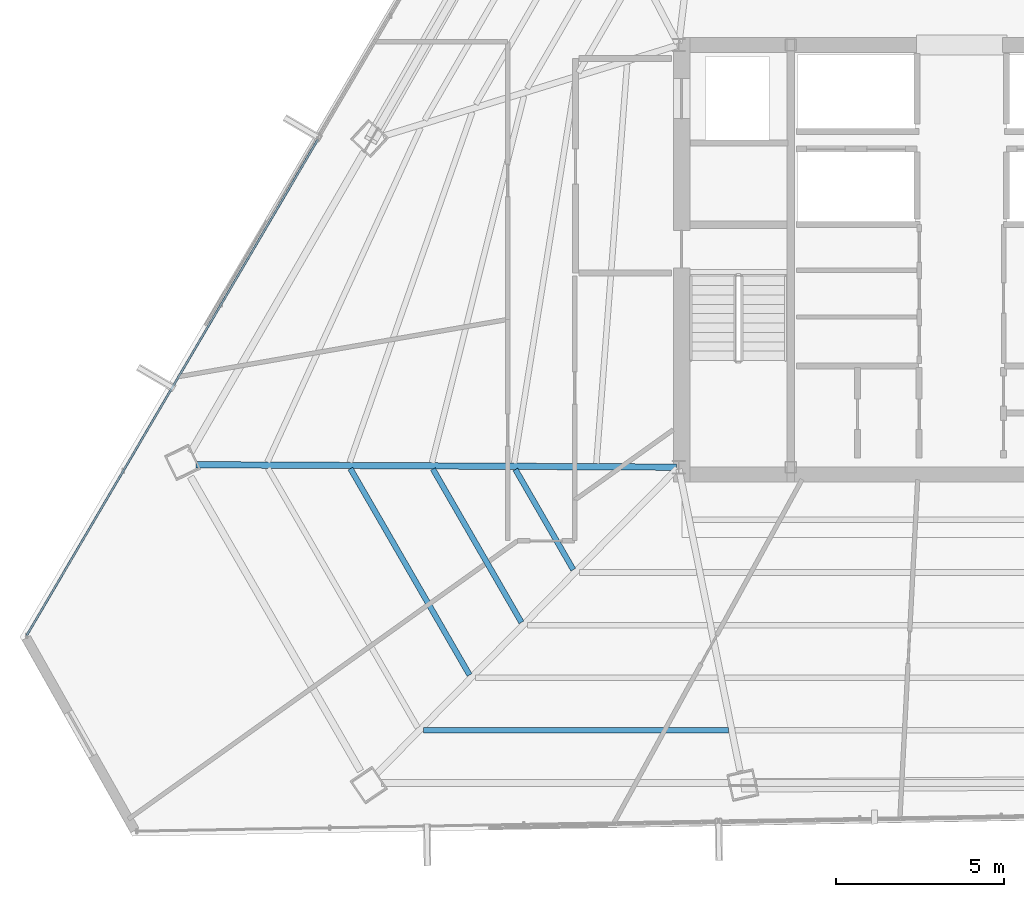
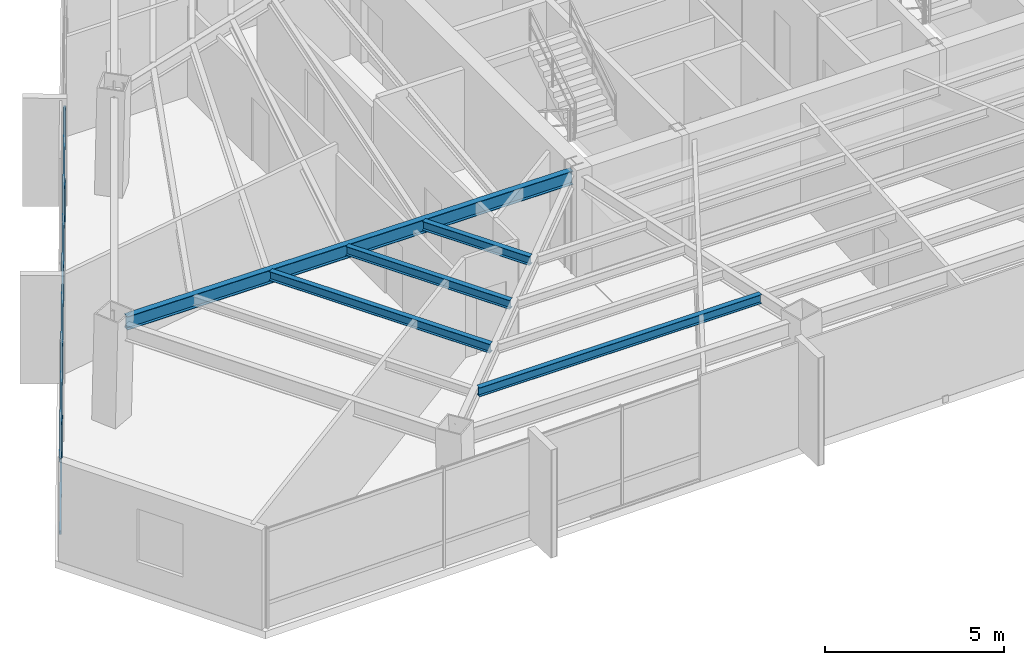
# One storey, part 9 of 42: 5 beams, 2 members, 1 element without a shape of its own.
"""IFC4 building model written with IfcOpenShell, lengths in metres."""

import ifcopenshell
import ifcopenshell.guid

model = None  # the IFC model being written
_history = None  # IfcOwnerHistory: only IFC2X3 demands one
_inside = {}  # id of a spatial element -> (the spatial element, [elements in it])
_under = {}  # id of a project, library or spatial element -> (it, [spatial elements below it])
_declared = {}  # id of a project -> (the project, [libraries it declares])
_typed = {}  # id of a type object -> (the type object, [elements of that type])
_made_of = {}  # id of a material, layer set ... -> (it, [elements and type objects made of it])


def new_model(schema):
    """Start an empty IFC model of exactly this schema.

    Asked for "IFC4X3", IfcOpenShell would pick the latest addendum, in which some entities
    have other attributes; the version numbers below select the first issue.
    IFC2X3 requires an IfcOwnerHistory on every rooted entity: one is made here for all.
    """
    global model, _history
    if schema == "IFC4X3":
        model = ifcopenshell.file(schema_version=(4, 3, 0, 0))
    else:
        model = ifcopenshell.file(schema=schema)
    _inside.clear()
    _under.clear()
    _declared.clear()
    _typed.clear()
    _made_of.clear()
    _history = None
    if model.schema == "IFC2X3":
        org = make("IfcOrganization", Name="unknown")
        user = make(
            "IfcPersonAndOrganization",
            ThePerson=make("IfcPerson", FamilyName="unknown"),
            TheOrganization=org,
        )
        app = make(
            "IfcApplication",
            ApplicationDeveloper=org,
            Version="unknown",
            ApplicationFullName="unknown",
            ApplicationIdentifier="unknown",
        )
        _history = make(
            "IfcOwnerHistory",
            OwningUser=user,
            OwningApplication=app,
            ChangeAction="ADDED",
            CreationDate=0,
        )
    return model


def make(cls, **values):
    """One entity of the class cls with the attributes given. An attribute that is None is left unset."""
    return model.create_entity(
        cls, **{name: value for name, value in values.items() if value is not None}
    )


def rooted(cls, **values):
    """An entity with a GlobalId (a new one), such as an element, a storey or a relation."""
    return make(cls, GlobalId=ifcopenshell.guid.new(), OwnerHistory=_history, **values)


def si_unit(unit_type, name, prefix=None):
    """IfcSIUnit, for example si_unit("LENGTHUNIT", "METRE", prefix="MILLI")."""
    return make("IfcSIUnit", UnitType=unit_type, Prefix=prefix, Name=name)


def assignment(units):
    """IfcUnitAssignment: the units of a project."""
    return None if units is None else make("IfcUnitAssignment", Units=units)


def point(xyz):
    """IfcCartesianPoint."""
    return None if xyz is None else make("IfcCartesianPoint", Coordinates=xyz)


def direction(xyz):
    """IfcDirection."""
    return None if xyz is None else make("IfcDirection", DirectionRatios=xyz)


def frame(location, z_axis=None, x_axis=None):
    """IfcAxis2Placement3D, a coordinate frame: its origin and axes. An axis left out is left unset."""
    return make(
        "IfcAxis2Placement3D",
        Location=point(location),
        Axis=direction(z_axis),
        RefDirection=direction(x_axis),
    )


def frame_2d(location, x_axis=None):
    """IfcAxis2Placement2D, a coordinate frame in the plane: its origin and x axis."""
    return make(
        "IfcAxis2Placement2D", Location=point(location), RefDirection=direction(x_axis)
    )


def origin():
    """The frame at (0, 0, 0) with its axes left unset."""
    return frame((0.0, 0.0, 0.0))


def origin_2d():
    """The frame at (0, 0) in the plane with its x axis left unset."""
    return frame_2d((0.0, 0.0))


def place(relative_to, where):
    """IfcLocalPlacement: puts the frame where relative to a parent placement (None: the world)."""
    return make(
        "IfcLocalPlacement", PlacementRelTo=relative_to, RelativePlacement=where
    )


def context(
    kind, dimensions, precision=None, world=None, true_north=None, identifier=None
):
    """IfcGeometricRepresentationContext, for example the 3D "Model" context."""
    return make(
        "IfcGeometricRepresentationContext",
        ContextIdentifier=identifier,
        ContextType=kind,
        CoordinateSpaceDimension=dimensions,
        Precision=precision,
        WorldCoordinateSystem=world,
        TrueNorth=true_north,
    )


def subcontext(parent, identifier, kind, view, scale=None):
    """IfcGeometricRepresentationSubContext, for example "Body" below "Model"."""
    return make(
        "IfcGeometricRepresentationSubContext",
        ContextIdentifier=identifier,
        ContextType=kind,
        ParentContext=parent,
        TargetScale=scale,
        TargetView=view,
    )


def project(units=None, contexts=None):
    """IfcProject with its units and contexts."""
    return rooted(
        "IfcProject",
        Name="project",
        RepresentationContexts=contexts,
        UnitsInContext=assignment(units),
    )


def spatial(cls, under=None, at=None, **own):
    """A site, building, storey or space (cls), placed at a placement, below another one or the project."""
    s = rooted(cls, ObjectPlacement=at, **own)
    if under is not None:
        _under.setdefault(under.id(), (under, []))[1].append(s)
    return s


def profile(cls, at=None, kind="AREA", **sizes):
    """A parametric profile (cls). Its sizes go by their IFC names, for example OverallWidth=200.0."""
    return make(cls, ProfileType=kind, Position=at, **sizes)


def hollow_rectangle(**sizes):
    """IfcRectangleHollowProfileDef."""
    return profile("IfcRectangleHollowProfileDef", **sizes)


def i_section(**sizes):
    """IfcIShapeProfileDef."""
    return profile("IfcIShapeProfileDef", **sizes)


def extrude(swept, where, along, depth):
    """IfcExtrudedAreaSolid: the profile swept, set in the frame where, extruded along a direction by depth."""
    return make(
        "IfcExtrudedAreaSolid",
        SweptArea=swept,
        Position=where,
        ExtrudedDirection=direction(along),
        Depth=depth,
    )


def shape(context_of_items, identifier, shape_type, items):
    """IfcShapeRepresentation: the items that make up one representation, for example the "Body"."""
    return make(
        "IfcShapeRepresentation",
        ContextOfItems=context_of_items,
        RepresentationIdentifier=identifier,
        RepresentationType=shape_type,
        Items=items,
    )


def source(mapping_origin, context_of_items, identifier, shape_type, items):
    """IfcRepresentationMap: a shape defined once, which mapped items show again and again."""
    return make(
        "IfcRepresentationMap",
        MappingOrigin=mapping_origin,
        MappedRepresentation=shape(context_of_items, identifier, shape_type, items),
    )


def transform(
    local_origin,
    x_axis=None,
    y_axis=None,
    z_axis=None,
    scale=None,
    scale2=None,
    scale3=None,
    uniform=True,
):
    """IfcCartesianTransformationOperator3D, or its non-uniform kind. x_axis, y_axis, z_axis: its Axis1, 2, 3."""
    if uniform:
        return make(
            "IfcCartesianTransformationOperator3D",
            Axis1=direction(x_axis),
            Axis2=direction(y_axis),
            LocalOrigin=point(local_origin),
            Scale=scale,
            Axis3=direction(z_axis),
        )
    return make(
        "IfcCartesianTransformationOperator3DnonUniform",
        Axis1=direction(x_axis),
        Axis2=direction(y_axis),
        LocalOrigin=point(local_origin),
        Scale=scale,
        Axis3=direction(z_axis),
        Scale2=scale2,
        Scale3=scale3,
    )


def mapped(mapping_source, mapping_target):
    """IfcMappedItem: shows the shape of a source again, moved by a transform."""
    return make(
        "IfcMappedItem", MappingSource=mapping_source, MappingTarget=mapping_target
    )


def material(Name=None, Category=None):
    """IfcMaterial."""
    return make("IfcMaterial", Name=Name, Category=Category)


def material_profile(
    of_material, cross_section, Name=None, Category=None, Priority=None
):
    """IfcMaterialProfile: a cross section and its material."""
    return make(
        "IfcMaterialProfile",
        Name=Name,
        Material=of_material,
        Profile=cross_section,
        Priority=Priority,
        Category=Category,
    )


def profile_set(profiles, Name=None, composite=None):
    """IfcMaterialProfileSet."""
    return make(
        "IfcMaterialProfileSet",
        Name=Name,
        MaterialProfiles=profiles,
        CompositeProfile=composite,
    )


def made_of(thing, what):
    """Note that an element or type object is made of a material, layer set ...; save() writes the relation."""
    if what is not None:
        _made_of.setdefault(what.id(), (what, []))[1].append(thing)
    return thing


def type_object(cls, material=None, **own):
    """A type object (cls), such as IfcWallType, which elements share."""
    return made_of(rooted(cls, **own), material)


def type_shapes(of_type, sources):
    """Give a type object the sources (RepresentationMaps) that its elements show as mapped items."""
    of_type.RepresentationMaps = sources


def element(
    cls,
    number,
    at=None,
    inside=None,
    cuts=None,
    type_object=None,
    material=None,
    context=None,
    identifier="Body",
    shape_type=None,
    held_by="IfcProductDefinitionShape",
    body=None,
    shapes=None,
    **own,
):
    """One element of the class cls, such as IfcWall. Its Tag is "e" and its number.

    at: its placement. inside: the storey or other place that contains it. cuts: it is an
    opening in that element (IfcRelVoidsElement). A single representation is given by context,
    identifier, shape_type and body (its items); several are given by shapes. held_by: the class
    of the entity that holds the representations. save() writes the other relations.
    """
    e = rooted(cls, Tag="e%d" % number, ObjectPlacement=at, **own)
    if body is not None:
        shapes = [shape(context, identifier, shape_type, body)]
    if shapes is not None:
        e.Representation = make(held_by, Representations=shapes)
    if inside is not None:
        _inside.setdefault(inside.id(), (inside, []))[1].append(e)
    if cuts is not None:
        rooted(
            "IfcRelVoidsElement", RelatingBuildingElement=cuts, RelatedOpeningElement=e
        )
    if type_object is not None:
        _typed.setdefault(type_object.id(), (type_object, []))[1].append(e)
    return made_of(e, material)


def aggregate(whole, parts):
    """IfcRelAggregates: a whole, such as a stair, and the parts it consists of."""
    return rooted("IfcRelAggregates", RelatingObject=whole, RelatedObjects=parts)


def save(model, path):
    """Write the relations noted so far, then the file.

    IfcRelAggregates (storeys below a building ...), IfcRelContainedInSpatialStructure (elements
    in a storey), IfcRelDefinesByType, IfcRelAssociatesMaterial and IfcRelDeclares: one each for
    every whole, place, type object, material and project.
    """
    for whole, parts in _under.values():
        aggregate(whole, parts)
    for where, things in _inside.values():
        rooted(
            "IfcRelContainedInSpatialStructure",
            RelatedElements=things,
            RelatingStructure=where,
        )
    for kind, things in _typed.values():
        rooted("IfcRelDefinesByType", RelatedObjects=things, RelatingType=kind)
    for what, things in _made_of.values():
        rooted("IfcRelAssociatesMaterial", RelatedObjects=things, RelatingMaterial=what)
    for by, libraries in _declared.values():
        rooted("IfcRelDeclares", RelatingContext=by, RelatedDefinitions=libraries)
    model.write(path)


model = new_model("IFC4")

# Units and contexts
model_context = context("Model", 3, precision=1e-05, world=origin(), true_north=direction((0.0, 1.0)))
body_context = subcontext(model_context, "Body", "Model", "MODEL_VIEW")
ifc_project = project(units=[si_unit("LENGTHUNIT", "METRE"), si_unit("AREAUNIT", "SQUARE_METRE"), si_unit("VOLUMEUNIT", "CUBIC_METRE"), si_unit("PLANEANGLEUNIT", "RADIAN"), si_unit("MASSUNIT", "GRAM", prefix="KILO")], contexts=[model_context])

# Site, building, storey
site_placement = place(None, origin())
site = spatial("IfcSite", under=ifc_project, at=site_placement, CompositionType="ELEMENT")
building_placement = place(site_placement, origin())
building = spatial("IfcBuilding", under=site, at=building_placement, Name="Caelisora Broadcast Tower", CompositionType="ELEMENT")
storey_placement = place(building_placement, frame((0.0, 0.0, 184.050048828125)))
storey = spatial("IfcBuildingStorey", under=building, at=storey_placement, Name="L48", CompositionType="ELEMENT", Elevation=184.050048828125)

# Beams
ifc_material_1 = material(Name="Steel Grade 350 (AS/NZS 3679.1)", Category="steel")
ifc_material_profile_1 = material_profile(ifc_material_1, i_section(OverallWidth=0.19091796875, OverallDepth=0.46044921875, WebThickness=0.010009765625, FlangeThickness=0.01611328125, at=origin_2d()), Name="Steel Grade 350 (AS/NZS 3679.1)")
ifc_profile_set_1 = profile_set([ifc_material_profile_1], Name="Steel Grade 350 (AS/NZS 3679.1)")
beam_type_1 = type_object("IfcBeamType", Name="PG06", PredefinedType="BEAM", material=ifc_profile_set_1)
shared_shape_1 = source(origin(), body_context, "Body", "SweptSolid", [
    extrude(i_section(OverallWidth=0.19091796875, OverallDepth=0.46044921875, WebThickness=0.010009765625, FlangeThickness=0.01611328125, at=origin_2d()), origin(), (0.0, 0.0, 1.0), 14.33984375),
])
type_shapes(beam_type_1, [shared_shape_1])
beam_1_placement = place(storey_placement, frame((30.43994140625, 17.400390625, 3.169677734375), z_axis=(-0.999987129358, 0.005073570521, 0.0), x_axis=(-0.005073570521, -0.999987129358, 0.0)))
element("IfcBeam", 1, at=beam_1_placement, inside=storey, type_object=beam_type_1, Name="L48 beam PG06", PredefinedType="BEAM", context=body_context, shape_type="MappedRepresentation", body=[
    mapped(shared_shape_1, transform((0.0, 0.0, 0.0), scale=1.0)),
])
ifc_material_profile_2 = material_profile(ifc_material_1, i_section(OverallWidth=0.166015625, OverallDepth=0.30712890625, WebThickness=0.006591796875, FlangeThickness=0.01171875, at=origin_2d()), Name="Steel Grade 350 (AS/NZS 3679.1)")
ifc_profile_set_2 = profile_set([ifc_material_profile_2], Name="Steel Grade 350 (AS/NZS 3679.1)")
beam_type_2 = type_object("IfcBeamType", Name="SB03", PredefinedType="JOIST", material=ifc_profile_set_2)
shared_shape_2 = source(origin(), body_context, "Body", "SweptSolid", [
    extrude(i_section(OverallWidth=0.166015625, OverallDepth=0.30712890625, WebThickness=0.006591796875, FlangeThickness=0.01171875, at=origin_2d()), origin(), (0.0, 0.0, 1.0), 3.4541015625),
])
beam_2_placement = place(storey_placement, frame((25.628662109375, 17.331787109375, 3.246337890625), z_axis=(0.499985536376, -0.866033754201, 0.0), x_axis=(0.866033754201, 0.499985536376, 0.0)))
element("IfcBeam", 2, at=beam_2_placement, inside=storey, type_object=beam_type_2, Name="L48 beam SB03", PredefinedType="JOIST", context=body_context, shape_type="MappedRepresentation", body=[
    mapped(shared_shape_2, transform((0.0, 0.0, 0.0), scale=1.0)),
])
shared_shape_3 = source(origin(), body_context, "Body", "SweptSolid", [
    extrude(i_section(OverallWidth=0.166015625, OverallDepth=0.30712890625, WebThickness=0.006591796875, FlangeThickness=0.01171875, at=origin_2d()), origin(), (0.0, 0.0, 1.0), 5.283447265625),
])
beam_3_placement = place(storey_placement, frame((23.166015625, 17.344482421875, 3.246337890625), z_axis=(0.49997578384, -0.86603938454, 0.0), x_axis=(0.86603938454, 0.49997578384, 0.0)))
element("IfcBeam", 3, at=beam_3_placement, inside=storey, type_object=beam_type_2, Name="L48 beam SB03", PredefinedType="JOIST", context=body_context, shape_type="MappedRepresentation", body=[
    mapped(shared_shape_3, transform((0.0, 0.0, 0.0), scale=1.0)),
])
shared_shape_4 = source(origin(), body_context, "Body", "SweptSolid", [
    extrude(i_section(OverallWidth=0.166015625, OverallDepth=0.30712890625, WebThickness=0.006591796875, FlangeThickness=0.01171875, at=origin_2d()), origin(), (0.0, 0.0, 1.0), 7.1123046875),
])
beam_4_placement = place(storey_placement, frame((20.703369140625, 17.35693359375, 3.246337890625), z_axis=(0.500000773857, -0.866024956998, 0.0), x_axis=(0.866024956998, 0.500000773857, 0.0)))
element("IfcBeam", 4, at=beam_4_placement, inside=storey, type_object=beam_type_2, Name="L48 beam SB03", PredefinedType="JOIST", context=body_context, shape_type="MappedRepresentation", body=[
    mapped(shared_shape_4, transform((0.0, 0.0, 0.0), scale=1.0)),
])
shared_shape_5 = source(origin(), body_context, "Body", "SweptSolid", [
    extrude(i_section(OverallWidth=0.166015625, OverallDepth=0.30712890625, WebThickness=0.006591796875, FlangeThickness=0.01171875, at=origin_2d()), origin(), (0.0, 0.0, 1.0), 9.1015625),
])
type_shapes(beam_type_2, [shared_shape_2, shared_shape_3, shared_shape_4, shared_shape_5])
beam_5_placement = place(storey_placement, frame((22.890625, 9.542724609375, 3.246337890625), z_axis=(1.0, 0.0, 0.0), x_axis=(0.0, 1.0, 0.0)))
element("IfcBeam", 5, at=beam_5_placement, inside=storey, type_object=beam_type_2, Name="L48 beam SB03", PredefinedType="JOIST", context=body_context, shape_type="MappedRepresentation", body=[
    mapped(shared_shape_5, transform((0.0, 0.0, 0.0), scale=1.0)),
])

# Curtain wall, members
ifc_material_2 = material(Name="Unitised Aluminium and Low-E Glass Curtain Wall", Category="glass")
curtain_wall_type = type_object("IfcCurtainWallType", Name="CW-Z4", PredefinedType="NOTDEFINED", material=ifc_material_2)
curtain_wall_placement = place(storey_placement, origin())
curtain_wall = element("IfcCurtainWall", 6, at=curtain_wall_placement, inside=storey, type_object=curtain_wall_type, Name="L48 curtain wall CW-Z4", PredefinedType="NOTDEFINED")
ifc_material_3 = material(Name="Aluminium 6063-T6 Anodised Terracotta Bronze", Category="aluminium")
ifc_material_profile_3 = material_profile(ifc_material_3, hollow_rectangle(XDim=0.06005859375, YDim=0.1201171875, WallThickness=0.0029296875, at=origin_2d()), Name="Aluminium 6063-T6 Anodised Terracotta Bronze")
ifc_profile_set_3 = profile_set([ifc_material_profile_3], Name="Aluminium 6063-T6 Anodised Terracotta Bronze")
member_type = type_object("IfcMemberType", Name="CWT-03", PredefinedType="USERDEFINED", material=ifc_profile_set_3)
shared_shape_6 = source(origin(), body_context, "Body", "SweptSolid", [
    extrude(hollow_rectangle(XDim=0.06005859375, YDim=0.1201171875, WallThickness=0.0029296875, at=origin_2d()), origin(), (0.0, 0.0, 1.0), 17.17333984375),
])
type_shapes(member_type, [shared_shape_6])
member_1_placement = place(storey_placement, frame((11.040283203125, 12.3740234375, 0.849853515625), z_axis=(0.506308597627, 0.862352366477, 0.0), x_axis=(-0.862352366477, 0.506308597627, 0.0)))
member_1 = element("IfcMember", 7, at=member_1_placement, type_object=member_type, Name="L48-CW-B09 transom #1", ObjectType="TRANSOM", PredefinedType="USERDEFINED", context=body_context, shape_type="MappedRepresentation", body=[
    mapped(shared_shape_6, transform((0.0, 0.0, 0.0), scale=1.0)),
])
member_2_placement = place(storey_placement, frame((11.040283203125, 12.3740234375, 3.320068359375), z_axis=(0.506308597627, 0.862352366477, 0.0), x_axis=(-0.862352366477, 0.506308597627, 0.0)))
member_2 = element("IfcMember", 8, at=member_2_placement, type_object=member_type, Name="L48-CW-B09 transom #2", ObjectType="TRANSOM", PredefinedType="USERDEFINED", context=body_context, shape_type="MappedRepresentation", body=[
    mapped(shared_shape_6, transform((0.0, 0.0, 0.0), scale=1.0)),
])
aggregate(curtain_wall, [member_1, member_2])

save(model, "model.ifc")
